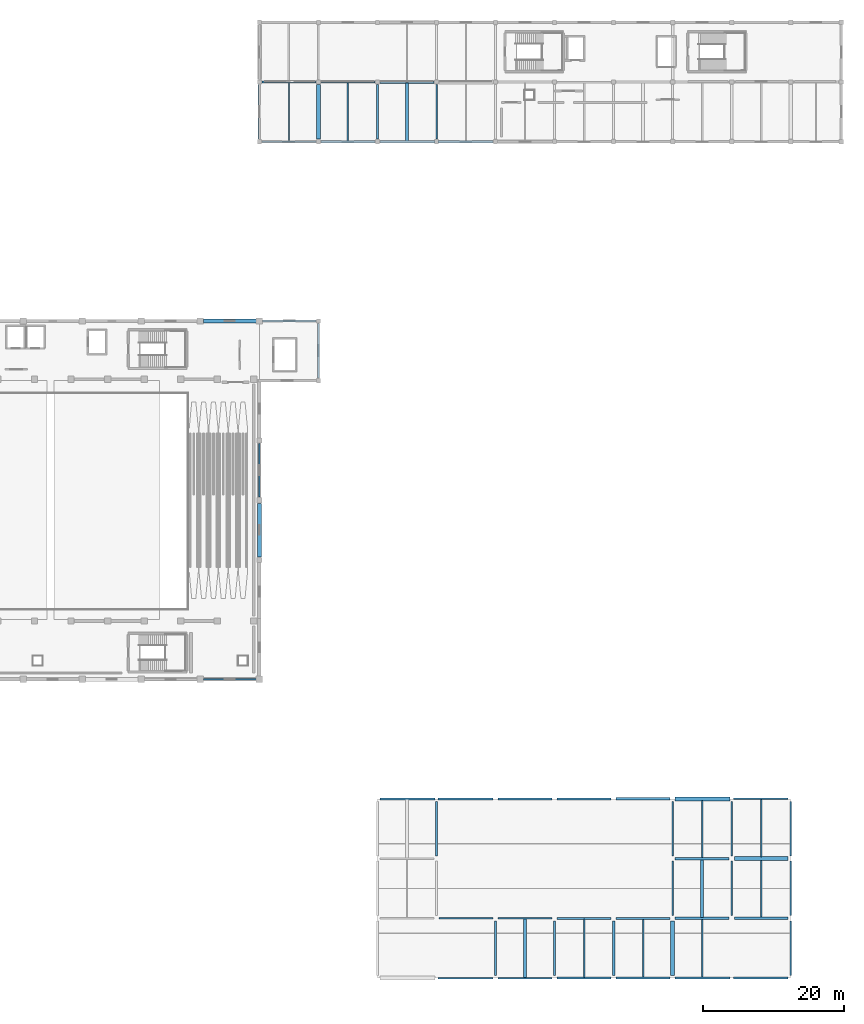
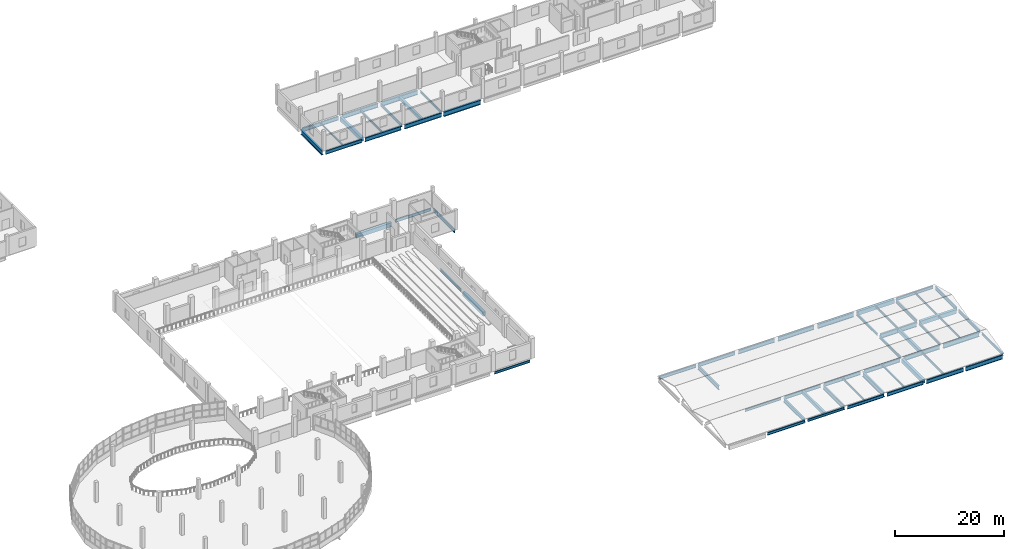
# One storey, part 29 of 50: 61 beams.
"""IFC4 building model written with IfcOpenShell, lengths in metres."""

from ifc_helpers import new_model, si_unit, direction, frame, origin, origin_2d, place, context, subcontext, project, spatial, rectangle, i_section, extrude, material, material_profile, profile_set, type_object, element, save


model = new_model("IFC4")

# Units and contexts
model_context = context("Model", 3, precision=1e-05, world=origin(), true_north=direction((0.0, 1.0)))
body_context = subcontext(model_context, "Body", "Model", "MODEL_VIEW")
ifc_project = project(units=[si_unit("LENGTHUNIT", "METRE"), si_unit("AREAUNIT", "SQUARE_METRE"), si_unit("VOLUMEUNIT", "CUBIC_METRE"), si_unit("PLANEANGLEUNIT", "RADIAN"), si_unit("MASSUNIT", "GRAM", prefix="KILO")], contexts=[model_context])

# Site, building, storey
site_placement = place(None, origin())
site = spatial("IfcSite", under=ifc_project, at=site_placement, CompositionType="ELEMENT")
building_placement = place(site_placement, origin())
building = spatial("IfcBuilding", under=site, at=building_placement, Name="Solvento Point Concert Hall", CompositionType="ELEMENT")
storey_placement = place(building_placement, frame((0.0, 0.0, 15.0)))
storey = spatial("IfcBuildingStorey", under=building, at=storey_placement, Name="L03", CompositionType="ELEMENT", Elevation=15.0)

# Beams
ifc_material_1 = material(Name="Concrete C35/45", Category="concrete")
ifc_material_profile_1 = material_profile(ifc_material_1, rectangle(XDim=0.449951171875, YDim=0.75, at=origin_2d()), Name="RC-BM-450X750")
ifc_profile_set_1 = profile_set([ifc_material_profile_1], Name="Concrete C35/45")
beam_type_1 = type_object("IfcBeamType", Name="Beam_RC_450x750", PredefinedType="BEAM", material=ifc_profile_set_1)
beam_1_placement = place(storey_placement, frame((154.199951171875, 119.138916015625, -0.638916015625), z_axis=(0.0, 1.0, 0.0), x_axis=(-1.0, 0.0, 0.0)))
element("IfcBeam", 1, at=beam_1_placement, inside=storey, type_object=beam_type_1, Name="Secondary floor joist B-28 L03", PredefinedType="BEAM", context=body_context, shape_type="SweptSolid", body=[
    extrude(rectangle(XDim=0.449951171875, YDim=0.75, at=origin_2d()), origin(), (0.0, 0.0, 1.0), 8.195556640625),
])
beam_2_placement = place(storey_placement, frame((171.0, 0.092041015625, -0.37890625), z_axis=(0.0, 1.0, 0.0), x_axis=(-1.0, 0.0, 0.0)))
element("IfcBeam", 2, at=beam_2_placement, inside=storey, type_object=beam_type_1, Name="Secondary floor joist B-28 L03", PredefinedType="BEAM", context=body_context, shape_type="SweptSolid", body=[
    extrude(rectangle(XDim=0.449951171875, YDim=0.75, at=origin_2d()), origin(), (0.0, 0.0, 1.0), 8.294921875),
])
beam_3_placement = place(storey_placement, frame((196.199951171875, 8.638671875, -0.37890625), z_axis=(0.0, 1.0, 0.0), x_axis=(-1.0, 0.0, 0.0)))
element("IfcBeam", 3, at=beam_3_placement, inside=storey, type_object=beam_type_1, Name="Secondary floor joist B-28 L03", PredefinedType="BEAM", context=body_context, shape_type="SweptSolid", body=[
    extrude(rectangle(XDim=0.449951171875, YDim=0.75, at=origin_2d()), origin(), (0.0, 0.0, 1.0), 8.19580078125),
])
ifc_material_2 = material(Name="Structural Steel ASTM A992 Grade 50", Category="steel")
ifc_material_profile_2 = material_profile(ifc_material_2, i_section(OverallWidth=0.20947265625, OverallDepth=0.532958984375, WebThickness=0.01025390625, FlangeThickness=0.015625, at=origin_2d()), Name="W21X62")
ifc_profile_set_2 = profile_set([ifc_material_profile_2], Name="Structural Steel ASTM A992 Grade 50")
beam_type_2 = type_object("IfcBeamType", Name="Beam_W21X62", PredefinedType="BEAM", material=ifc_profile_set_2)
beam_4_placement = place(storey_placement, frame((145.800048828125, 119.131103515625, -0.530517578125), z_axis=(0.0, 1.0, 0.0), x_axis=(-1.0, 0.0, 0.0)))
element("IfcBeam", 4, at=beam_4_placement, inside=storey, type_object=beam_type_2, Name="Secondary floor joist B-25 L03", PredefinedType="BEAM", context=body_context, shape_type="SweptSolid", body=[
    extrude(i_section(OverallWidth=0.20947265625, OverallDepth=0.532958984375, WebThickness=0.01025390625, FlangeThickness=0.015625, at=origin_2d()), origin(), (0.0, 0.0, 1.0), 8.22998046875),
])
beam_5_placement = place(storey_placement, frame((196.199951171875, 0.131103515625, -0.2705078125), z_axis=(0.0, 1.0, 0.0), x_axis=(-1.0, 0.0, 0.0)))
element("IfcBeam", 5, at=beam_5_placement, inside=storey, type_object=beam_type_2, Name="Secondary floor joist B-25 L03", PredefinedType="BEAM", context=body_context, shape_type="SweptSolid", body=[
    extrude(i_section(OverallWidth=0.20947265625, OverallDepth=0.532958984375, WebThickness=0.01025390625, FlangeThickness=0.015625, at=origin_2d()), origin(), (0.0, 0.0, 1.0), 8.230224609375),
])
ifc_material_3 = material(Name="Structural Steel ASTM A992 Grade 50", Category="steel")
ifc_material_profile_3 = material_profile(ifc_material_3, i_section(OverallWidth=0.214111328125, OverallDepth=0.549072265625, WebThickness=0.0146484375, FlangeThickness=0.023681640625, at=origin_2d()), Name="W21X93")
ifc_profile_set_3 = profile_set([ifc_material_profile_3], Name="Structural Steel ASTM A992 Grade 50")
beam_type_3 = type_object("IfcBeamType", Name="Beam_W21X93", PredefinedType="BEAM", material=ifc_profile_set_3)
beam_6_placement = place(storey_placement, frame((167.1689453125, 0.0, -0.278564453125), z_axis=(1.0, 0.0, 0.0), x_axis=(0.0, 1.0, 0.0)))
element("IfcBeam", 6, at=beam_6_placement, inside=storey, type_object=beam_type_3, Name="Primary girder B-48 L03", PredefinedType="BEAM", context=body_context, shape_type="SweptSolid", body=[
    extrude(i_section(OverallWidth=0.214111328125, OverallDepth=0.549072265625, WebThickness=0.0146484375, FlangeThickness=0.023681640625, at=origin_2d()), origin(), (0.0, 0.0, 1.0), 7.662109375),
])
beam_7_placement = place(storey_placement, frame((158.76904296875, 8.5, -0.278564453125), z_axis=(1.0, 0.0, 0.0), x_axis=(0.0, 1.0, 0.0)))
element("IfcBeam", 7, at=beam_7_placement, inside=storey, type_object=beam_type_3, Name="Primary girder B-48 L03", PredefinedType="BEAM", context=body_context, shape_type="SweptSolid", body=[
    extrude(i_section(OverallWidth=0.214111328125, OverallDepth=0.549072265625, WebThickness=0.0146484375, FlangeThickness=0.023681640625, at=origin_2d()), origin(), (0.0, 0.0, 1.0), 7.661865234375),
])
beam_8_placement = place(storey_placement, frame((125.243896484375, 42.5, -0.718505859375), z_axis=(1.0, 0.0, 0.0), x_axis=(0.0, 1.0, 0.0)))
element("IfcBeam", 8, at=beam_8_placement, inside=storey, type_object=beam_type_3, Name="Primary girder B-48 L03", PredefinedType="BEAM", context=body_context, shape_type="SweptSolid", body=[
    extrude(i_section(OverallWidth=0.214111328125, OverallDepth=0.549072265625, WebThickness=0.0146484375, FlangeThickness=0.023681640625, at=origin_2d()), origin(), (0.0, 0.0, 1.0), 7.51220703125),
])
beam_9_placement = place(storey_placement, frame((158.39990234375, 119.39404296875, -0.53857421875), z_axis=(0.0, 1.0, 0.0), x_axis=(-1.0, 0.0, 0.0)))
element("IfcBeam", 9, at=beam_9_placement, inside=storey, type_object=beam_type_3, Name="Primary girder B-48 L03", PredefinedType="BEAM", context=body_context, shape_type="SweptSolid", body=[
    extrude(i_section(OverallWidth=0.214111328125, OverallDepth=0.549072265625, WebThickness=0.0146484375, FlangeThickness=0.023681640625, at=origin_2d()), origin(), (0.0, 0.0, 1.0), 7.737060546875),
])
for number, where, z_axis, x_axis, name in (
    (10, (192.0, 17.368896484375, -0.278564453125), (0.0, 1.0, 0.0), (-1.0, 0.0, 0.0), "Primary girder B-48 L03"),
    (11, (200.39990234375, 8.868896484375, -0.278564453125), (0.0, 1.0, 0.0), (-1.0, 0.0, 0.0), "Primary girder B-48 L03"),
    (12, (208.800048828125, 0.368896484375, -0.278564453125), (0.0, 1.0, 0.0), (-1.0, 0.0, 0.0), "Primary girder B-48 L03"),
):
    element("IfcBeam", number, at=place(storey_placement, frame(where, z_axis=z_axis, x_axis=x_axis)), inside=storey, type_object=beam_type_3, Name=name, PredefinedType="BEAM", context=body_context, shape_type="SweptSolid", body=[
        extrude(i_section(OverallWidth=0.214111328125, OverallDepth=0.549072265625, WebThickness=0.0146484375, FlangeThickness=0.023681640625, at=origin_2d()), origin(), (0.0, 0.0, 1.0), 7.76220703125),
    ])
ifc_material_4 = material(Name="Structural Steel ASTM A992 Grade 50", Category="steel")
ifc_material_profile_4 = material_profile(ifc_material_4, i_section(OverallWidth=0.228515625, OverallDepth=0.60791015625, WebThickness=0.01123046875, FlangeThickness=0.017333984375, at=origin_2d()), Name="W24X76")
ifc_profile_set_4 = profile_set([ifc_material_profile_4], Name="Structural Steel ASTM A992 Grade 50")
beam_type_4 = type_object("IfcBeamType", Name="Beam_W24X76", PredefinedType="BEAM", material=ifc_profile_set_4)
for number, where, z_axis, x_axis, name in (
    (13, (158.64404296875, 0.0, -0.30810546875), (1.0, 0.0, 0.0), (0.0, 1.0, 0.0), "Primary girder B-42 L03"),
    (14, (200.64404296875, 25.5, -0.30810546875), (1.0, 0.0, 0.0), (0.0, 1.0, 0.0), "Primary girder B-42 L03"),
):
    element("IfcBeam", number, at=place(storey_placement, frame(where, z_axis=z_axis, x_axis=x_axis)), inside=storey, type_object=beam_type_4, Name=name, PredefinedType="BEAM", context=body_context, shape_type="SweptSolid", body=[
        extrude(i_section(OverallWidth=0.228515625, OverallDepth=0.60791015625, WebThickness=0.01123046875, FlangeThickness=0.017333984375, at=origin_2d()), origin(), (0.0, 0.0, 1.0), 7.786865234375),
    ])
beam_10_placement = place(storey_placement, frame((133.64404296875, 93.5, -0.568115234375), z_axis=(1.0, 0.0, 0.0), x_axis=(0.0, 1.0, 0.0)))
element("IfcBeam", 15, at=beam_10_placement, inside=storey, type_object=beam_type_4, Name="Primary girder B-42 L03", PredefinedType="BEAM", context=body_context, shape_type="SweptSolid", body=[
    extrude(i_section(OverallWidth=0.228515625, OverallDepth=0.60791015625, WebThickness=0.01123046875, FlangeThickness=0.017333984375, at=origin_2d()), origin(), (0.0, 0.0, 1.0), 7.5869140625),
])
beam_11_placement = place(storey_placement, frame((133.199951171875, 68.444091796875, -0.748046875), z_axis=(0.0, 1.0, 0.0), x_axis=(-1.0, 0.0, 0.0)))
element("IfcBeam", 16, at=beam_11_placement, inside=storey, type_object=beam_type_4, Name="Primary girder B-42 L03", PredefinedType="BEAM", context=body_context, shape_type="SweptSolid", body=[
    extrude(i_section(OverallWidth=0.228515625, OverallDepth=0.60791015625, WebThickness=0.01123046875, FlangeThickness=0.017333984375, at=origin_2d()), origin(), (0.0, 0.0, 1.0), 7.61181640625),
])
for number, where, z_axis, x_axis, name in (
    (17, (150.0, 119.368896484375, -0.568115234375), (0.0, 1.0, 0.0), (-1.0, 0.0, 0.0), "Primary girder B-42 L03"),
    (18, (192.0, 8.868896484375, -0.30810546875), (0.0, 1.0, 0.0), (-1.0, 0.0, 0.0), "Primary girder B-42 L03"),
):
    element("IfcBeam", number, at=place(storey_placement, frame(where, z_axis=z_axis, x_axis=x_axis)), inside=storey, type_object=beam_type_4, Name=name, PredefinedType="BEAM", context=body_context, shape_type="SweptSolid", body=[
        extrude(i_section(OverallWidth=0.228515625, OverallDepth=0.60791015625, WebThickness=0.01123046875, FlangeThickness=0.017333984375, at=origin_2d()), origin(), (0.0, 0.0, 1.0), 7.76220703125),
    ])
ifc_material_5 = material(Name="Concrete C35/45", Category="concrete")
ifc_material_profile_5 = material_profile(ifc_material_5, rectangle(XDim=0.550048828125, YDim=0.89990234375, at=origin_2d()), Name="RC-BM-550X900")
ifc_profile_set_5 = profile_set([ifc_material_profile_5], Name="Concrete C35/45")
beam_type_5 = type_object("IfcBeamType", Name="Girder_RC_550x900", PredefinedType="USERDEFINED", material=ifc_profile_set_5)
beam_12_placement = place(storey_placement, frame((200.76904296875, 17.0, -0.4541015625), z_axis=(1.0, 0.0, 0.0), x_axis=(0.0, 1.0, 0.0)))
element("IfcBeam", 19, at=beam_12_placement, inside=storey, type_object=beam_type_5, Name="Primary girder B-39 L03", ObjectType="GIRDER", PredefinedType="USERDEFINED", context=body_context, shape_type="SweptSolid", body=[
    extrude(rectangle(XDim=0.550048828125, YDim=0.89990234375, at=origin_2d()), origin(), (0.0, 0.0, 1.0), 7.661865234375),
])
beam_13_placement = place(storey_placement, frame((192.368896484375, 25.5, -0.4541015625), z_axis=(1.0, 0.0, 0.0), x_axis=(0.0, 1.0, 0.0)))
element("IfcBeam", 20, at=beam_13_placement, inside=storey, type_object=beam_type_5, Name="Primary girder B-39 L03", ObjectType="GIRDER", PredefinedType="USERDEFINED", context=body_context, shape_type="SweptSolid", body=[
    extrude(rectangle(XDim=0.550048828125, YDim=0.89990234375, at=origin_2d()), origin(), (0.0, 0.0, 1.0), 7.787109375),
])
beam_14_placement = place(storey_placement, frame((125.243896484375, 93.5, -0.89404296875), z_axis=(1.0, 0.0, 0.0), x_axis=(0.0, 1.0, 0.0)))
element("IfcBeam", 21, at=beam_14_placement, inside=storey, type_object=beam_type_5, Name="Primary girder B-39 L03", ObjectType="GIRDER", PredefinedType="USERDEFINED", context=body_context, shape_type="SweptSolid", body=[
    extrude(rectangle(XDim=0.550048828125, YDim=0.89990234375, at=origin_2d()), origin(), (0.0, 0.0, 1.0), 7.51220703125),
])
beam_15_placement = place(storey_placement, frame((133.199951171875, 59.944091796875, -0.89404296875), z_axis=(0.0, 1.0, 0.0), x_axis=(-1.0, 0.0, 0.0)))
element("IfcBeam", 22, at=beam_15_placement, inside=storey, type_object=beam_type_5, Name="Primary girder B-39 L03", ObjectType="GIRDER", PredefinedType="USERDEFINED", context=body_context, shape_type="SweptSolid", body=[
    extrude(rectangle(XDim=0.550048828125, YDim=0.89990234375, at=origin_2d()), origin(), (0.0, 0.0, 1.0), 7.61181640625),
])
for number, where, z_axis, x_axis, name in (
    (23, (141.60009765625, 119.368896484375, -0.714111328125), (0.0, 1.0, 0.0), (-1.0, 0.0, 0.0), "Primary girder B-39 L03"),
    (24, (192.0, 0.368896484375, -0.4541015625), (0.0, 1.0, 0.0), (-1.0, 0.0, 0.0), "Primary girder B-39 L03"),
):
    element("IfcBeam", number, at=place(storey_placement, frame(where, z_axis=z_axis, x_axis=x_axis)), inside=storey, type_object=beam_type_5, Name=name, ObjectType="GIRDER", PredefinedType="USERDEFINED", context=body_context, shape_type="SweptSolid", body=[
        extrude(rectangle(XDim=0.550048828125, YDim=0.89990234375, at=origin_2d()), origin(), (0.0, 0.0, 1.0), 7.76220703125),
    ])
ifc_material_6 = material(Name="Structural Steel ASTM A992 Grade 50", Category="steel")
ifc_material_profile_6 = material_profile(ifc_material_6, i_section(OverallWidth=0.256103515625, OverallDepth=0.693115234375, WebThickness=0.014404296875, FlangeThickness=0.023681640625, at=origin_2d()), Name="W27X114")
ifc_profile_set_6 = profile_set([ifc_material_profile_6], Name="Structural Steel ASTM A992 Grade 50")
beam_type_6 = type_object("IfcBeamType", Name="Girder_W27X114", PredefinedType="USERDEFINED", material=ifc_profile_set_6)
beam_16_placement = place(storey_placement, frame((175.569091796875, 0.0, -0.3505859375), z_axis=(1.0, 0.0, 0.0), x_axis=(0.0, 1.0, 0.0)))
element("IfcBeam", 25, at=beam_16_placement, inside=storey, type_object=beam_type_6, Name="Primary girder B-23 L03", ObjectType="GIRDER", PredefinedType="USERDEFINED", context=body_context, shape_type="SweptSolid", body=[
    extrude(i_section(OverallWidth=0.256103515625, OverallDepth=0.693115234375, WebThickness=0.014404296875, FlangeThickness=0.023681640625, at=origin_2d()), origin(), (0.0, 0.0, 1.0), 7.661865234375),
])
beam_17_placement = place(storey_placement, frame((167.1689453125, 8.5, -0.3505859375), z_axis=(1.0, 0.0, 0.0), x_axis=(0.0, 1.0, 0.0)))
element("IfcBeam", 26, at=beam_17_placement, inside=storey, type_object=beam_type_6, Name="Primary girder B-23 L03", ObjectType="GIRDER", PredefinedType="USERDEFINED", context=body_context, shape_type="SweptSolid", body=[
    extrude(i_section(OverallWidth=0.256103515625, OverallDepth=0.693115234375, WebThickness=0.014404296875, FlangeThickness=0.023681640625, at=origin_2d()), origin(), (0.0, 0.0, 1.0), 7.662109375),
])
beam_18_placement = place(storey_placement, frame((150.368896484375, 25.5, -0.3505859375), z_axis=(1.0, 0.0, 0.0), x_axis=(0.0, 1.0, 0.0)))
element("IfcBeam", 27, at=beam_18_placement, inside=storey, type_object=beam_type_6, Name="Primary girder B-23 L03", ObjectType="GIRDER", PredefinedType="USERDEFINED", context=body_context, shape_type="SweptSolid", body=[
    extrude(i_section(OverallWidth=0.256103515625, OverallDepth=0.693115234375, WebThickness=0.014404296875, FlangeThickness=0.023681640625, at=origin_2d()), origin(), (0.0, 0.0, 1.0), 7.787109375),
])
beam_19_placement = place(storey_placement, frame((200.39990234375, 17.368896484375, -0.3505859375), z_axis=(0.0, 1.0, 0.0), x_axis=(-1.0, 0.0, 0.0)))
element("IfcBeam", 28, at=beam_19_placement, inside=storey, type_object=beam_type_6, Name="Primary girder B-23 L03", ObjectType="GIRDER", PredefinedType="USERDEFINED", context=body_context, shape_type="SweptSolid", body=[
    extrude(i_section(OverallWidth=0.256103515625, OverallDepth=0.693115234375, WebThickness=0.014404296875, FlangeThickness=0.023681640625, at=origin_2d()), origin(), (0.0, 0.0, 1.0), 7.737060546875),
])
beam_20_placement = place(storey_placement, frame((208.800048828125, 8.868896484375, -0.3505859375), z_axis=(0.0, 1.0, 0.0), x_axis=(-1.0, 0.0, 0.0)))
element("IfcBeam", 29, at=beam_20_placement, inside=storey, type_object=beam_type_6, Name="Primary girder B-23 L03", ObjectType="GIRDER", PredefinedType="USERDEFINED", context=body_context, shape_type="SweptSolid", body=[
    extrude(i_section(OverallWidth=0.256103515625, OverallDepth=0.693115234375, WebThickness=0.014404296875, FlangeThickness=0.023681640625, at=origin_2d()), origin(), (0.0, 0.0, 1.0), 7.76220703125),
])
ifc_material_7 = material(Name="Structural Steel ASTM A992 Grade 50", Category="steel")
ifc_material_profile_7 = material_profile(ifc_material_7, i_section(OverallWidth=0.26806640625, OverallDepth=0.77001953125, WebThickness=0.015625, FlangeThickness=0.025390625, at=origin_2d()), Name="W30X132")
ifc_profile_set_7 = profile_set([ifc_material_profile_7], Name="Structural Steel ASTM A992 Grade 50")
beam_type_7 = type_object("IfcBeamType", Name="Girder_W30X132", PredefinedType="USERDEFINED", material=ifc_profile_set_7)
beam_21_placement = place(storey_placement, frame((183.968994140625, 0.0, -0.388916015625), z_axis=(1.0, 0.0, 0.0), x_axis=(0.0, 1.0, 0.0)))
element("IfcBeam", 30, at=beam_21_placement, inside=storey, type_object=beam_type_7, Name="Primary girder B-68 L03", ObjectType="GIRDER", PredefinedType="USERDEFINED", context=body_context, shape_type="SweptSolid", body=[
    extrude(i_section(OverallWidth=0.26806640625, OverallDepth=0.77001953125, WebThickness=0.015625, FlangeThickness=0.025390625, at=origin_2d()), origin(), (0.0, 0.0, 1.0), 7.662109375),
])
beam_22_placement = place(storey_placement, frame((175.569091796875, 8.5, -0.388916015625), z_axis=(1.0, 0.0, 0.0), x_axis=(0.0, 1.0, 0.0)))
element("IfcBeam", 31, at=beam_22_placement, inside=storey, type_object=beam_type_7, Name="Primary girder B-68 L03", ObjectType="GIRDER", PredefinedType="USERDEFINED", context=body_context, shape_type="SweptSolid", body=[
    extrude(i_section(OverallWidth=0.26806640625, OverallDepth=0.77001953125, WebThickness=0.015625, FlangeThickness=0.025390625, at=origin_2d()), origin(), (0.0, 0.0, 1.0), 7.661865234375),
])
beam_23_placement = place(storey_placement, frame((158.64404296875, 25.5, -0.388916015625), z_axis=(1.0, 0.0, 0.0), x_axis=(0.0, 1.0, 0.0)))
element("IfcBeam", 32, at=beam_23_placement, inside=storey, type_object=beam_type_7, Name="Primary girder B-68 L03", ObjectType="GIRDER", PredefinedType="USERDEFINED", context=body_context, shape_type="SweptSolid", body=[
    extrude(i_section(OverallWidth=0.26806640625, OverallDepth=0.77001953125, WebThickness=0.015625, FlangeThickness=0.025390625, at=origin_2d()), origin(), (0.0, 0.0, 1.0), 7.786865234375),
])
beam_24_placement = place(storey_placement, frame((133.569091796875, 119.0, -0.64892578125), z_axis=(1.0, 0.0, 0.0), x_axis=(0.0, 1.0, 0.0)))
element("IfcBeam", 33, at=beam_24_placement, inside=storey, type_object=beam_type_7, Name="Primary girder B-68 L03", ObjectType="GIRDER", PredefinedType="USERDEFINED", context=body_context, shape_type="SweptSolid", body=[
    extrude(i_section(OverallWidth=0.26806640625, OverallDepth=0.77001953125, WebThickness=0.015625, FlangeThickness=0.025390625, at=origin_2d()), origin(), (0.0, 0.0, 1.0), 7.661865234375),
])
for number, where, z_axis, x_axis, name in (
    (34, (141.60009765625, 85.368896484375, -0.64892578125), (0.0, 1.0, 0.0), (-1.0, 0.0, 0.0), "Primary girder B-68 L03"),
    (35, (208.800048828125, 17.368896484375, -0.388916015625), (0.0, 1.0, 0.0), (-1.0, 0.0, 0.0), "Primary girder B-68 L03"),
):
    element("IfcBeam", number, at=place(storey_placement, frame(where, z_axis=z_axis, x_axis=x_axis)), inside=storey, type_object=beam_type_7, Name=name, ObjectType="GIRDER", PredefinedType="USERDEFINED", context=body_context, shape_type="SweptSolid", body=[
        extrude(i_section(OverallWidth=0.26806640625, OverallDepth=0.77001953125, WebThickness=0.015625, FlangeThickness=0.025390625, at=origin_2d()), origin(), (0.0, 0.0, 1.0), 7.76220703125),
    ])
ifc_material_8 = material(Name="Structural Steel ASTM A992 Grade 50", Category="steel")
ifc_material_profile_8 = material_profile(ifc_material_8, i_section(OverallWidth=0.2919921875, OverallDepth=0.85888671875, WebThickness=0.01708984375, FlangeThickness=0.031005859375, at=origin_2d()), Name="W33X169")
ifc_profile_set_8 = profile_set([ifc_material_profile_8], Name="Structural Steel ASTM A992 Grade 50")
beam_type_8 = type_object("IfcBeamType", Name="Girder_W33X169", PredefinedType="USERDEFINED", material=ifc_profile_set_8)
beam_25_placement = place(storey_placement, frame((192.368896484375, 0.0, -0.43359375), z_axis=(1.0, 0.0, 0.0), x_axis=(0.0, 1.0, 0.0)))
element("IfcBeam", 36, at=beam_25_placement, inside=storey, type_object=beam_type_8, Name="Primary girder B-33 L03", ObjectType="GIRDER", PredefinedType="USERDEFINED", context=body_context, shape_type="SweptSolid", body=[
    extrude(i_section(OverallWidth=0.2919921875, OverallDepth=0.85888671875, WebThickness=0.01708984375, FlangeThickness=0.031005859375, at=origin_2d()), origin(), (0.0, 0.0, 1.0), 7.787109375),
])
for number, where, z_axis, x_axis, name in (
    (37, (183.968994140625, 8.5, -0.43359375), (1.0, 0.0, 0.0), (0.0, 1.0, 0.0), "Primary girder B-33 L03"),
    (38, (167.1689453125, 25.5, -0.43359375), (1.0, 0.0, 0.0), (0.0, 1.0, 0.0), "Primary girder B-33 L03"),
    (39, (141.968994140625, 119.0, -0.693603515625), (1.0, 0.0, 0.0), (0.0, 1.0, 0.0), "Primary girder B-33 L03"),
):
    element("IfcBeam", number, at=place(storey_placement, frame(where, z_axis=z_axis, x_axis=x_axis)), inside=storey, type_object=beam_type_8, Name=name, ObjectType="GIRDER", PredefinedType="USERDEFINED", context=body_context, shape_type="SweptSolid", body=[
        extrude(i_section(OverallWidth=0.2919921875, OverallDepth=0.85888671875, WebThickness=0.01708984375, FlangeThickness=0.031005859375, at=origin_2d()), origin(), (0.0, 0.0, 1.0), 7.662109375),
    ])
beam_26_placement = place(storey_placement, frame((133.569091796875, 127.5, -0.693603515625), z_axis=(1.0, 0.0, 0.0), x_axis=(0.0, 1.0, 0.0)))
element("IfcBeam", 40, at=beam_26_placement, inside=storey, type_object=beam_type_8, Name="Primary girder B-33 L03", ObjectType="GIRDER", PredefinedType="USERDEFINED", context=body_context, shape_type="SweptSolid", body=[
    extrude(i_section(OverallWidth=0.2919921875, OverallDepth=0.85888671875, WebThickness=0.01708984375, FlangeThickness=0.031005859375, at=origin_2d()), origin(), (0.0, 0.0, 1.0), 7.661865234375),
])
beam_27_placement = place(storey_placement, frame((166.800048828125, 0.368896484375, -0.43359375), z_axis=(0.0, 1.0, 0.0), x_axis=(-1.0, 0.0, 0.0)))
element("IfcBeam", 41, at=beam_27_placement, inside=storey, type_object=beam_type_8, Name="Primary girder B-33 L03", ObjectType="GIRDER", PredefinedType="USERDEFINED", context=body_context, shape_type="SweptSolid", body=[
    extrude(i_section(OverallWidth=0.2919921875, OverallDepth=0.85888671875, WebThickness=0.01708984375, FlangeThickness=0.031005859375, at=origin_2d()), origin(), (0.0, 0.0, 1.0), 7.76220703125),
])
ifc_material_9 = material(Name="Structural Steel ASTM A992 Grade 50", Category="steel")
ifc_material_profile_9 = material_profile(ifc_material_9, i_section(OverallWidth=0.3076171875, OverallDepth=0.927001953125, WebThickness=0.019287109375, FlangeThickness=0.031982421875, at=origin_2d()), Name="W36X194")
ifc_profile_set_9 = profile_set([ifc_material_profile_9], Name="Structural Steel ASTM A992 Grade 50")
beam_type_9 = type_object("IfcBeamType", Name="Girder_W36X194", PredefinedType="USERDEFINED", material=ifc_profile_set_9)
beam_28_placement = place(storey_placement, frame((200.64404296875, 0.0, -0.467529296875), z_axis=(1.0, 0.0, 0.0), x_axis=(0.0, 1.0, 0.0)))
element("IfcBeam", 42, at=beam_28_placement, inside=storey, type_object=beam_type_9, Name="Primary girder B-61 L03", ObjectType="GIRDER", PredefinedType="USERDEFINED", context=body_context, shape_type="SweptSolid", body=[
    extrude(i_section(OverallWidth=0.3076171875, OverallDepth=0.927001953125, WebThickness=0.019287109375, FlangeThickness=0.031982421875, at=origin_2d()), origin(), (0.0, 0.0, 1.0), 7.786865234375),
])
beam_29_placement = place(storey_placement, frame((192.368896484375, 8.5, -0.467529296875), z_axis=(1.0, 0.0, 0.0), x_axis=(0.0, 1.0, 0.0)))
element("IfcBeam", 43, at=beam_29_placement, inside=storey, type_object=beam_type_9, Name="Primary girder B-61 L03", ObjectType="GIRDER", PredefinedType="USERDEFINED", context=body_context, shape_type="SweptSolid", body=[
    extrude(i_section(OverallWidth=0.3076171875, OverallDepth=0.927001953125, WebThickness=0.019287109375, FlangeThickness=0.031982421875, at=origin_2d()), origin(), (0.0, 0.0, 1.0), 7.662109375),
])
beam_30_placement = place(storey_placement, frame((175.569091796875, 25.5, -0.467529296875), z_axis=(1.0, 0.0, 0.0), x_axis=(0.0, 1.0, 0.0)))
element("IfcBeam", 44, at=beam_30_placement, inside=storey, type_object=beam_type_9, Name="Primary girder B-61 L03", ObjectType="GIRDER", PredefinedType="USERDEFINED", context=body_context, shape_type="SweptSolid", body=[
    extrude(i_section(OverallWidth=0.3076171875, OverallDepth=0.927001953125, WebThickness=0.019287109375, FlangeThickness=0.031982421875, at=origin_2d()), origin(), (0.0, 0.0, 1.0), 7.661865234375),
])
beam_31_placement = place(storey_placement, frame((150.368896484375, 119.0, -0.7275390625), z_axis=(1.0, 0.0, 0.0), x_axis=(0.0, 1.0, 0.0)))
element("IfcBeam", 45, at=beam_31_placement, inside=storey, type_object=beam_type_9, Name="Primary girder B-61 L03", ObjectType="GIRDER", PredefinedType="USERDEFINED", context=body_context, shape_type="SweptSolid", body=[
    extrude(i_section(OverallWidth=0.3076171875, OverallDepth=0.927001953125, WebThickness=0.019287109375, FlangeThickness=0.031982421875, at=origin_2d()), origin(), (0.0, 0.0, 1.0), 7.787109375),
])
beam_32_placement = place(storey_placement, frame((141.968994140625, 127.5, -0.7275390625), z_axis=(1.0, 0.0, 0.0), x_axis=(0.0, 1.0, 0.0)))
element("IfcBeam", 46, at=beam_32_placement, inside=storey, type_object=beam_type_9, Name="Primary girder B-61 L03", ObjectType="GIRDER", PredefinedType="USERDEFINED", context=body_context, shape_type="SweptSolid", body=[
    extrude(i_section(OverallWidth=0.3076171875, OverallDepth=0.927001953125, WebThickness=0.019287109375, FlangeThickness=0.031982421875, at=origin_2d()), origin(), (0.0, 0.0, 1.0), 7.662109375),
])
beam_33_placement = place(storey_placement, frame((158.39990234375, 17.368896484375, -0.467529296875), z_axis=(0.0, 1.0, 0.0), x_axis=(-1.0, 0.0, 0.0)))
element("IfcBeam", 47, at=beam_33_placement, inside=storey, type_object=beam_type_9, Name="Primary girder B-61 L03", ObjectType="GIRDER", PredefinedType="USERDEFINED", context=body_context, shape_type="SweptSolid", body=[
    extrude(i_section(OverallWidth=0.3076171875, OverallDepth=0.927001953125, WebThickness=0.019287109375, FlangeThickness=0.031982421875, at=origin_2d()), origin(), (0.0, 0.0, 1.0), 7.737060546875),
])
beam_34_placement = place(storey_placement, frame((175.199951171875, 0.368896484375, -0.467529296875), z_axis=(0.0, 1.0, 0.0), x_axis=(-1.0, 0.0, 0.0)))
element("IfcBeam", 48, at=beam_34_placement, inside=storey, type_object=beam_type_9, Name="Primary girder B-61 L03", ObjectType="GIRDER", PredefinedType="USERDEFINED", context=body_context, shape_type="SweptSolid", body=[
    extrude(i_section(OverallWidth=0.3076171875, OverallDepth=0.927001953125, WebThickness=0.019287109375, FlangeThickness=0.031982421875, at=origin_2d()), origin(), (0.0, 0.0, 1.0), 7.76220703125),
])
ifc_material_10 = material(Name="Structural Steel ASTM A992 Grade 50", Category="steel")
ifc_material_profile_10 = material_profile(ifc_material_10, i_section(OverallWidth=0.361083984375, OverallDepth=1.02587890625, WebThickness=0.01904296875, FlangeThickness=0.0361328125, at=origin_2d()), Name="W40X249")
ifc_profile_set_10 = profile_set([ifc_material_profile_10], Name="Structural Steel ASTM A992 Grade 50")
beam_type_10 = type_object("IfcBeamType", Name="Girder_W40X249", PredefinedType="USERDEFINED", material=ifc_profile_set_10)
beam_35_placement = place(storey_placement, frame((200.76904296875, 8.5, -0.51708984375), z_axis=(1.0, 0.0, 0.0), x_axis=(0.0, 1.0, 0.0)))
element("IfcBeam", 49, at=beam_35_placement, inside=storey, type_object=beam_type_10, Name="Primary girder B-29 L03", ObjectType="GIRDER", PredefinedType="USERDEFINED", context=body_context, shape_type="SweptSolid", body=[
    extrude(i_section(OverallWidth=0.361083984375, OverallDepth=1.02587890625, WebThickness=0.01904296875, FlangeThickness=0.0361328125, at=origin_2d()), origin(), (0.0, 0.0, 1.0), 7.661865234375),
])
for number, where, z_axis, x_axis, name in (
    (50, (192.368896484375, 17.0, -0.51708984375), (1.0, 0.0, 0.0), (0.0, 1.0, 0.0), "Primary girder B-29 L03"),
    (51, (183.968994140625, 25.5, -0.51708984375), (1.0, 0.0, 0.0), (0.0, 1.0, 0.0), "Primary girder B-29 L03"),
):
    element("IfcBeam", number, at=place(storey_placement, frame(where, z_axis=z_axis, x_axis=x_axis)), inside=storey, type_object=beam_type_10, Name=name, ObjectType="GIRDER", PredefinedType="USERDEFINED", context=body_context, shape_type="SweptSolid", body=[
        extrude(i_section(OverallWidth=0.361083984375, OverallDepth=1.02587890625, WebThickness=0.01904296875, FlangeThickness=0.0361328125, at=origin_2d()), origin(), (0.0, 0.0, 1.0), 7.662109375),
    ])
beam_36_placement = place(storey_placement, frame((158.64404296875, 119.0, -0.777099609375), z_axis=(1.0, 0.0, 0.0), x_axis=(0.0, 1.0, 0.0)))
element("IfcBeam", 52, at=beam_36_placement, inside=storey, type_object=beam_type_10, Name="Primary girder B-29 L03", ObjectType="GIRDER", PredefinedType="USERDEFINED", context=body_context, shape_type="SweptSolid", body=[
    extrude(i_section(OverallWidth=0.361083984375, OverallDepth=1.02587890625, WebThickness=0.01904296875, FlangeThickness=0.0361328125, at=origin_2d()), origin(), (0.0, 0.0, 1.0), 7.786865234375),
])
beam_37_placement = place(storey_placement, frame((150.368896484375, 127.5, -0.777099609375), z_axis=(1.0, 0.0, 0.0), x_axis=(0.0, 1.0, 0.0)))
element("IfcBeam", 53, at=beam_37_placement, inside=storey, type_object=beam_type_10, Name="Primary girder B-29 L03", ObjectType="GIRDER", PredefinedType="USERDEFINED", context=body_context, shape_type="SweptSolid", body=[
    extrude(i_section(OverallWidth=0.361083984375, OverallDepth=1.02587890625, WebThickness=0.01904296875, FlangeThickness=0.0361328125, at=origin_2d()), origin(), (0.0, 0.0, 1.0), 7.662109375),
])
for number, where, z_axis, x_axis, name in (
    (54, (133.199951171875, 119.368896484375, -0.777099609375), (0.0, 1.0, 0.0), (-1.0, 0.0, 0.0), "Primary girder B-29 L03"),
    (55, (183.60009765625, 0.368896484375, -0.51708984375), (0.0, 1.0, 0.0), (-1.0, 0.0, 0.0), "Primary girder B-29 L03"),
):
    element("IfcBeam", number, at=place(storey_placement, frame(where, z_axis=z_axis, x_axis=x_axis)), inside=storey, type_object=beam_type_10, Name=name, ObjectType="GIRDER", PredefinedType="USERDEFINED", context=body_context, shape_type="SweptSolid", body=[
        extrude(i_section(OverallWidth=0.361083984375, OverallDepth=1.02587890625, WebThickness=0.01904296875, FlangeThickness=0.0361328125, at=origin_2d()), origin(), (0.0, 0.0, 1.0), 7.76220703125),
    ])
ifc_material_11 = material(Name="Structural Steel ASTM A992 Grade 50", Category="steel")
ifc_material_profile_11 = material_profile(ifc_material_11, i_section(OverallWidth=0.177490234375, OverallDepth=0.403076171875, WebThickness=0.007568359375, FlangeThickness=0.010986328125, at=origin_2d()), Name="W16X36")
ifc_profile_set_11 = profile_set([ifc_material_profile_11], Name="Structural Steel ASTM A992 Grade 50")
beam_type_11 = type_object("IfcBeamType", Name="Joist_W16X36", PredefinedType="JOIST", material=ifc_profile_set_11)
for number, where, z_axis, x_axis, name in (
    (56, (137.39990234375, 119.118896484375, -0.465576171875), (0.0, 1.0, 0.0), (-1.0, 0.0, 0.0), "Secondary floor joist B-30 L03"),
    (57, (187.800048828125, 0.118896484375, -0.20556640625), (0.0, 1.0, 0.0), (-1.0, 0.0, 0.0), "Secondary floor joist B-30 L03"),
):
    element("IfcBeam", number, at=place(storey_placement, frame(where, z_axis=z_axis, x_axis=x_axis)), inside=storey, type_object=beam_type_11, Name=name, PredefinedType="JOIST", context=body_context, shape_type="SweptSolid", body=[
        extrude(i_section(OverallWidth=0.177490234375, OverallDepth=0.403076171875, WebThickness=0.007568359375, FlangeThickness=0.010986328125, at=origin_2d()), origin(), (0.0, 0.0, 1.0), 8.25),
    ])
beam_38_placement = place(storey_placement, frame((204.60009765625, 17.260009765625, -0.20556640625), z_axis=(0.0, 1.0, 0.0), x_axis=(-1.0, 0.0, 0.0)))
element("IfcBeam", 58, at=beam_38_placement, inside=storey, type_object=beam_type_11, Name="Secondary floor joist B-30 L03", PredefinedType="JOIST", context=body_context, shape_type="SweptSolid", body=[
    extrude(i_section(OverallWidth=0.177490234375, OverallDepth=0.403076171875, WebThickness=0.007568359375, FlangeThickness=0.010986328125, at=origin_2d()), origin(), (0.0, 0.0, 1.0), 8.140869140625),
])
ifc_material_12 = material(Name="Structural Steel ASTM A992 Grade 50", Category="steel")
ifc_material_profile_12 = material_profile(ifc_material_12, i_section(OverallWidth=0.1904296875, OverallDepth=0.45703125, WebThickness=0.009033203125, FlangeThickness=0.014404296875, at=origin_2d()), Name="W18X50")
ifc_profile_set_12 = profile_set([ifc_material_profile_12], Name="Structural Steel ASTM A992 Grade 50")
beam_type_12 = type_object("IfcBeamType", Name="Joist_W18X50", PredefinedType="JOIST", material=ifc_profile_set_12)
beam_39_placement = place(storey_placement, frame((179.39990234375, 0.113037109375, -0.232421875), z_axis=(0.0, 1.0, 0.0), x_axis=(-1.0, 0.0, 0.0)))
element("IfcBeam", 59, at=beam_39_placement, inside=storey, type_object=beam_type_12, Name="Secondary floor joist B-66 L03", PredefinedType="JOIST", context=body_context, shape_type="SweptSolid", body=[
    extrude(i_section(OverallWidth=0.1904296875, OverallDepth=0.45703125, WebThickness=0.009033203125, FlangeThickness=0.014404296875, at=origin_2d()), origin(), (0.0, 0.0, 1.0), 8.26806640625),
])
for number, where, z_axis, x_axis, name in (
    (60, (196.199951171875, 17.16552734375, -0.232421875), (0.0, 1.0, 0.0), (-1.0, 0.0, 0.0), "Secondary floor joist B-66 L03"),
    (61, (204.60009765625, 8.66552734375, -0.232421875), (0.0, 1.0, 0.0), (-1.0, 0.0, 0.0), "Secondary floor joist B-66 L03"),
):
    element("IfcBeam", number, at=place(storey_placement, frame(where, z_axis=z_axis, x_axis=x_axis)), inside=storey, type_object=beam_type_12, Name=name, PredefinedType="JOIST", context=body_context, shape_type="SweptSolid", body=[
        extrude(i_section(OverallWidth=0.1904296875, OverallDepth=0.45703125, WebThickness=0.009033203125, FlangeThickness=0.014404296875, at=origin_2d()), origin(), (0.0, 0.0, 1.0), 8.074462890625),
    ])

save(model, "model.ifc")
